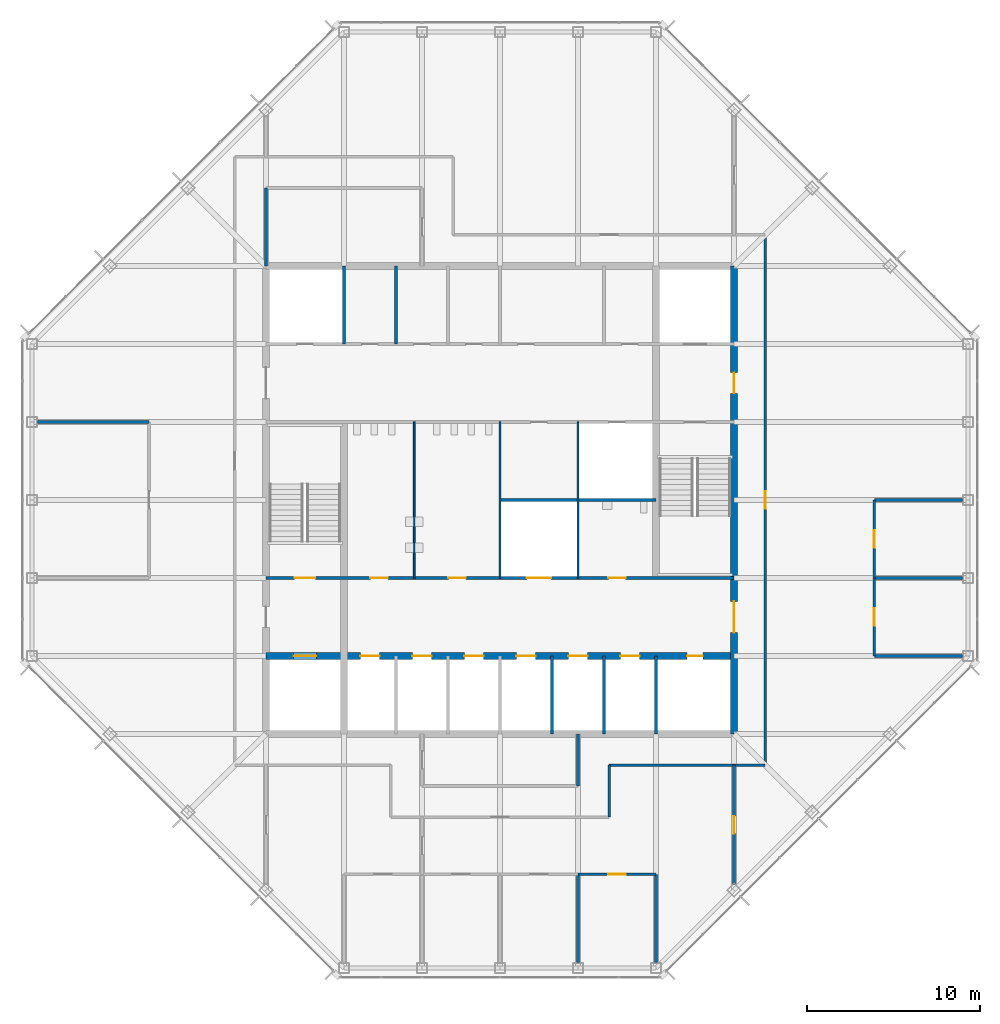
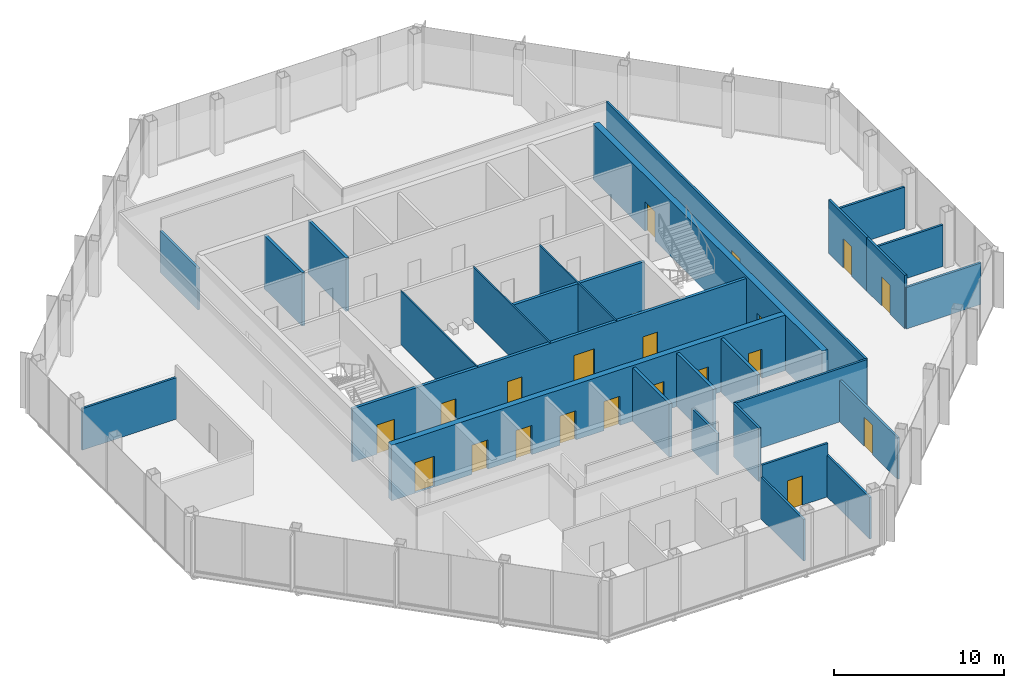
# One storey, part 10 of 13: 27 walls, 20 doors, 20 openings.
"""IFC4 building model written with IfcOpenShell, lengths in metres."""

from ifc_helpers import new_model, si_unit, direction, frame, frame_2d, origin, place, context, subcontext, project, spatial, rectangle, extrude, material, layer, layer_set, type_object, element, fill, save


model = new_model("IFC4")

# Units and contexts
model_context = context("Model", 3, precision=1e-05, world=origin(), true_north=direction((0.0, 1.0)))
body_context = subcontext(model_context, "Body", "Model", "MODEL_VIEW")
ifc_project = project(units=[si_unit("LENGTHUNIT", "METRE"), si_unit("AREAUNIT", "SQUARE_METRE"), si_unit("VOLUMEUNIT", "CUBIC_METRE"), si_unit("PLANEANGLEUNIT", "RADIAN"), si_unit("MASSUNIT", "GRAM", prefix="KILO")], contexts=[model_context])

# Site, building, storey
site_placement = place(None, origin())
site = spatial("IfcSite", under=ifc_project, at=site_placement, CompositionType="ELEMENT")
building_placement = place(site_placement, origin())
building = spatial("IfcBuilding", under=site, at=building_placement, Name="Corais Broadcast Tower", CompositionType="ELEMENT")
storey_placement = place(building_placement, frame((0.0, 0.0, 274.60009765625)))
storey = spatial("IfcBuildingStorey", under=building, at=storey_placement, Name="L64", CompositionType="ELEMENT", Elevation=274.60009765625)

# Walls
ifc_material_1 = material(Name="Concrete blockwork class A, grouted, two-hour", Category="masonry")
ifc_layer_1 = layer(ifc_material_1, 0.199951171875)
ifc_layer_set_1 = layer_set([ifc_layer_1], Name="Concrete blockwork class A, grouted, two-hour")
wall_type_1 = type_object("IfcWallType", Name="Core lobby wall 200", PredefinedType="SOLIDWALL", material=ifc_layer_set_1)
for number, where, z_axis, x_axis, name in (
    (1, (18.0, 36.0, 0.0), (0.0, 0.0, 1.0), (0.0, 1.0, 0.0), "CL3 core shaft wall X18B L64"),
    (2, (36.0, 13.5, 0.0), (0.0, 0.0, 1.0), (0.0, 1.0, 0.0), "CL3 core shaft wall X36A L64"),
):
    element("IfcWall", number, at=place(storey_placement, frame(where, z_axis=z_axis, x_axis=x_axis)), inside=storey, type_object=wall_type_1, Name=name, PredefinedType="SOLIDWALL", context=body_context, shape_type="SweptSolid", body=[
        extrude(rectangle(XDim=4.5, YDim=0.199951171875, at=frame_2d((2.25, 0.0))), origin(), (0.0, 0.0, 1.0), 3.83984375),
    ])

# Wall, openings, doors
wall_1_placement = place(storey_placement, frame((13.5, 22.5, 0.0), z_axis=(0.0, 0.0, 1.0), x_axis=(1.0, 0.0, 0.0)))
wall_1 = element("IfcWall", 3, at=wall_1_placement, inside=storey, type_object=wall_type_1, Name="CL3 core lobby wall Y225 L64", PredefinedType="SOLIDWALL", context=body_context, shape_type="SweptSolid", body=[
    extrude(rectangle(XDim=27.0, YDim=0.199951171875, at=frame_2d((13.5, 0.0))), origin(), (0.0, 0.0, 1.0), 3.83984375),
])
opening_1_placement = place(wall_1_placement, frame((1.64990234375, 0.0, 0.0)))
opening_1 = element("IfcOpeningElement", 4, at=opening_1_placement, cuts=wall_1, Name="Opening FD1", PredefinedType="OPENING", context=body_context, shape_type="SweptSolid", body=[
    extrude(rectangle(XDim=1.199951171875, YDim=2.10009765625, at=frame_2d((0.60009765625, 1.050048828125))), frame((0.0, 0.10986328125, 0.0), z_axis=(0.0, -1.0, 0.0), x_axis=(1.0, 0.0, 0.0)), (0.0, 0.0, 1.0), 0.219970703125),
])
opening_2_placement = place(wall_1_placement, frame((6.02490234375, 0.0, 0.0)))
opening_2 = element("IfcOpeningElement", 5, at=opening_2_placement, cuts=wall_1, Name="Opening WD1", PredefinedType="OPENING", context=body_context, shape_type="SweptSolid", body=[
    extrude(rectangle(XDim=1.0, YDim=2.10009765625, at=frame_2d((0.5, 1.050048828125))), frame((0.0, 0.10986328125, 0.0), z_axis=(0.0, -1.0, 0.0), x_axis=(1.0, 0.0, 0.0)), (0.0, 0.0, 1.0), 0.219970703125),
])
opening_3_placement = place(wall_1_placement, frame((10.52490234375, 0.0, 0.0)))
opening_3 = element("IfcOpeningElement", 6, at=opening_3_placement, cuts=wall_1, Name="Opening WD1", PredefinedType="OPENING", context=body_context, shape_type="SweptSolid", body=[
    extrude(rectangle(XDim=1.0, YDim=2.10009765625, at=frame_2d((0.5, 1.050048828125))), frame((0.0, 0.10986328125, 0.0), z_axis=(0.0, -1.0, 0.0), x_axis=(1.0, 0.0, 0.0)), (0.0, 0.0, 1.0), 0.219970703125),
])
opening_4_placement = place(wall_1_placement, frame((19.75, 0.0, 0.0)))
opening_4 = element("IfcOpeningElement", 7, at=opening_4_placement, cuts=wall_1, Name="Opening WD1", PredefinedType="OPENING", context=body_context, shape_type="SweptSolid", body=[
    extrude(rectangle(XDim=1.0, YDim=2.10009765625, at=frame_2d((0.5, 1.050048828125))), frame((0.0, 0.10986328125, 0.0), z_axis=(0.0, -1.0, 0.0), x_axis=(1.0, 0.0, 0.0)), (0.0, 0.0, 1.0), 0.219970703125),
])
opening_5_placement = place(wall_1_placement, frame((15.050048828125, 0.0, 0.0)))
opening_5 = element("IfcOpeningElement", 8, at=opening_5_placement, cuts=wall_1, Name="Opening LD3", PredefinedType="OPENING", context=body_context, shape_type="SweptSolid", body=[
    extrude(rectangle(XDim=1.39990234375, YDim=2.39990234375, at=frame_2d((0.699951171875, 1.199951171875))), frame((0.0, 0.10986328125, 0.0), z_axis=(0.0, -1.0, 0.0), x_axis=(1.0, 0.0, 0.0)), (0.0, 0.0, 1.0), 0.219970703125),
])
ifc_material_2 = material(Name="Steel fire door", Category="steel")
door_type_1 = type_object("IfcDoorType", Name="Fire door 1200x2100", OperationType="SINGLE_SWING_LEFT", PredefinedType="DOOR", material=ifc_material_2)
door_1_placement = place(opening_1_placement, origin())
door_1 = element("IfcDoor", 9, at=door_1_placement, inside=storey, type_object=door_type_1, Name="FD1 stair A door L64", OperationType="SINGLE_SWING_LEFT", OverallHeight=2.10009765625, OverallWidth=1.199951171875, PredefinedType="DOOR", context=body_context, shape_type="SweptSolid", body=[
    extrude(rectangle(XDim=1.199951171875, YDim=2.10009765625, at=frame_2d((0.60009765625, 1.050048828125))), frame((0.0, 0.02490234375, 0.0), z_axis=(0.0, -1.0, 0.0), x_axis=(1.0, 0.0, 0.0)), (0.0, 0.0, 1.0), 0.050048828125),
])
fill(opening_1, door_1)
ifc_material_3 = material(Name="Stainless steel lift door", Category="steel")
door_type_2 = type_object("IfcDoorType", Name="Service lift landing door 1400x2400", OperationType="SLIDING_TO_LEFT", PredefinedType="DOOR", material=ifc_material_3)
door_2_placement = place(opening_5_placement, origin())
door_2 = element("IfcDoor", 10, at=door_2_placement, inside=storey, type_object=door_type_2, Name="LD3 SL1 landing door L64", OperationType="SLIDING_TO_LEFT", OverallHeight=2.39990234375, OverallWidth=1.39990234375, PredefinedType="DOOR", context=body_context, shape_type="SweptSolid", body=[
    extrude(rectangle(XDim=1.39990234375, YDim=2.39990234375, at=frame_2d((0.699951171875, 1.199951171875))), frame((0.0, 0.02490234375, 0.0), z_axis=(0.0, -1.0, 0.0), x_axis=(1.0, 0.0, 0.0)), (0.0, 0.0, 1.0), 0.050048828125),
])
fill(opening_5, door_2)
ifc_material_4 = material(Name="Timber door", Category="wood")
door_type_3 = type_object("IfcDoorType", Name="Toilet door 1000x2100", OperationType="SINGLE_SWING_LEFT", PredefinedType="DOOR", material=ifc_material_4)
door_3_placement = place(opening_2_placement, origin())
door_3 = element("IfcDoor", 11, at=door_3_placement, inside=storey, type_object=door_type_3, Name="WD1 WC male door L64", OperationType="SINGLE_SWING_LEFT", OverallHeight=2.10009765625, OverallWidth=1.0, PredefinedType="DOOR", context=body_context, shape_type="SweptSolid", body=[
    extrude(rectangle(XDim=1.0, YDim=2.10009765625, at=frame_2d((0.5, 1.050048828125))), frame((0.0, 0.02490234375, 0.0), z_axis=(0.0, -1.0, 0.0), x_axis=(1.0, 0.0, 0.0)), (0.0, 0.0, 1.0), 0.050048828125),
])
fill(opening_2, door_3)
door_4_placement = place(opening_3_placement, origin())
door_4 = element("IfcDoor", 12, at=door_4_placement, inside=storey, type_object=door_type_3, Name="WD1 WC female door L64", OperationType="SINGLE_SWING_LEFT", OverallHeight=2.10009765625, OverallWidth=1.0, PredefinedType="DOOR", context=body_context, shape_type="SweptSolid", body=[
    extrude(rectangle(XDim=1.0, YDim=2.10009765625, at=frame_2d((0.5, 1.050048828125))), frame((0.0, 0.02490234375, 0.0), z_axis=(0.0, -1.0, 0.0), x_axis=(1.0, 0.0, 0.0)), (0.0, 0.0, 1.0), 0.050048828125),
])
fill(opening_3, door_4)
door_5_placement = place(opening_4_placement, origin())
door_5 = element("IfcDoor", 13, at=door_5_placement, inside=storey, type_object=door_type_3, Name="WD1 accessible WC door L64", OperationType="SINGLE_SWING_RIGHT", OverallHeight=2.10009765625, OverallWidth=1.0, PredefinedType="DOOR", context=body_context, shape_type="SweptSolid", body=[
    extrude(rectangle(XDim=1.0, YDim=2.10009765625, at=frame_2d((0.5, 1.050048828125))), frame((0.0, 0.02490234375, 0.0), z_axis=(0.0, -1.0, 0.0), x_axis=(1.0, 0.0, 0.0)), (0.0, 0.0, 1.0), 0.050048828125),
])
fill(opening_4, door_5)

ifc_material_5 = material(Name="Concrete C50/60", Category="concrete")
ifc_layer_2 = layer(ifc_material_5, 0.39990234375)
ifc_layer_set_2 = layer_set([ifc_layer_2], Name="Concrete C50/60")
wall_type_2 = type_object("IfcWallType", Name="Core wall 400", PredefinedType="SHEAR", material=ifc_layer_set_2)
wall_2_placement = place(storey_placement, frame((40.5, 13.5, 0.0), z_axis=(0.0, 0.0, 1.0), x_axis=(0.0, 1.0, 0.0)))
wall_2 = element("IfcWall", 14, at=wall_2_placement, inside=storey, type_object=wall_type_2, Name="CR400 core wall E L64", PredefinedType="SHEAR", context=body_context, shape_type="SweptSolid", body=[
    extrude(rectangle(XDim=27.0, YDim=0.39990234375, at=frame_2d((13.5, 0.0))), origin(), (0.0, 0.0, 1.0), 4.0),
])
opening_6_placement = place(wall_2_placement, frame((5.85009765625, 0.0, 0.0)))
opening_6 = element("IfcOpeningElement", 15, at=opening_6_placement, cuts=wall_2, Name="Opening FD2", PredefinedType="OPENING", context=body_context, shape_type="SweptSolid", body=[
    extrude(rectangle(XDim=1.800048828125, YDim=2.10009765625, at=frame_2d((0.89990234375, 1.050048828125))), frame((0.0, 0.2099609375, 0.0), z_axis=(0.0, -1.0, 0.0), x_axis=(1.0, 0.0, 0.0)), (0.0, 0.0, 1.0), 0.419921875),
])
opening_7_placement = place(wall_2_placement, frame((19.64990234375, 0.0, 0.0)))
opening_7 = element("IfcOpeningElement", 16, at=opening_7_placement, cuts=wall_2, Name="Opening FD1", PredefinedType="OPENING", context=body_context, shape_type="SweptSolid", body=[
    extrude(rectangle(XDim=1.199951171875, YDim=2.10009765625, at=frame_2d((0.60009765625, 1.050048828125))), frame((0.0, 0.2099609375, 0.0), z_axis=(0.0, -1.0, 0.0), x_axis=(1.0, 0.0, 0.0)), (0.0, 0.0, 1.0), 0.419921875),
])
door_6_placement = place(opening_7_placement, origin())
door_6 = element("IfcDoor", 17, at=door_6_placement, inside=storey, type_object=door_type_1, Name="FD1 fire lobby B door L64", OperationType="SINGLE_SWING_RIGHT", OverallHeight=2.10009765625, OverallWidth=1.199951171875, PredefinedType="DOOR", context=body_context, shape_type="SweptSolid", body=[
    extrude(rectangle(XDim=1.199951171875, YDim=2.10009765625, at=frame_2d((0.60009765625, 1.050048828125))), frame((0.0, 0.02490234375, 0.0), z_axis=(0.0, -1.0, 0.0), x_axis=(1.0, 0.0, 0.0)), (0.0, 0.0, 1.0), 0.050048828125),
])
fill(opening_7, door_6)
ifc_material_6 = material(Name="Steel fire door", Category="steel")
door_type_4 = type_object("IfcDoorType", Name="Fire door pair 1800x2100", OperationType="DOUBLE_DOOR_SINGLE_SWING", PredefinedType="DOOR", material=ifc_material_6)
door_7_placement = place(opening_6_placement, origin())
door_7 = element("IfcDoor", 18, at=door_7_placement, inside=storey, type_object=door_type_4, Name="FD2 lift lobby door L64", OperationType="SINGLE_SWING_LEFT", OverallHeight=2.10009765625, OverallWidth=1.800048828125, PredefinedType="DOOR", context=body_context, shape_type="SweptSolid", body=[
    extrude(rectangle(XDim=1.800048828125, YDim=2.10009765625, at=frame_2d((0.89990234375, 1.050048828125))), frame((0.0, 0.02490234375, 0.0), z_axis=(0.0, -1.0, 0.0), x_axis=(1.0, 0.0, 0.0)), (0.0, 0.0, 1.0), 0.050048828125),
])
fill(opening_6, door_7)

wall_3_placement = place(storey_placement, frame((13.5, 18.0, 0.0), z_axis=(0.0, 0.0, 1.0), x_axis=(1.0, 0.0, 0.0)))
wall_3 = element("IfcWall", 19, at=wall_3_placement, inside=storey, type_object=wall_type_2, Name="CR400 core wall Y18 L64", PredefinedType="SHEAR", context=body_context, shape_type="SweptSolid", body=[
    extrude(rectangle(XDim=27.0, YDim=0.39990234375, at=frame_2d((13.5, 0.0))), origin(), (0.0, 0.0, 1.0), 4.0),
])
opening_8_placement = place(wall_3_placement, frame((24.300048828125, 0.0, 0.0)))
opening_8 = element("IfcOpeningElement", 20, at=opening_8_placement, cuts=wall_3, Name="Opening RD1", PredefinedType="OPENING", context=body_context, shape_type="SweptSolid", body=[
    extrude(rectangle(XDim=0.89990234375, YDim=2.10009765625, at=frame_2d((0.449951171875, 1.050048828125))), frame((0.0, 0.2099609375, 0.0), z_axis=(0.0, -1.0, 0.0), x_axis=(1.0, 0.0, 0.0)), (0.0, 0.0, 1.0), 0.419921875),
])
opening_9_placement = place(wall_3_placement, frame((5.449951171875, 0.0, 0.0)))
opening_9 = element("IfcOpeningElement", 21, at=opening_9_placement, cuts=wall_3, Name="Opening LD1", PredefinedType="OPENING", context=body_context, shape_type="SweptSolid", body=[
    extrude(rectangle(XDim=1.10009765625, YDim=2.10009765625, at=frame_2d((0.550048828125, 1.050048828125))), frame((0.0, 0.2099609375, 0.0), z_axis=(0.0, -1.0, 0.0), x_axis=(1.0, 0.0, 0.0)), (0.0, 0.0, 1.0), 0.419921875),
])
opening_10_placement = place(wall_3_placement, frame((8.449951171875, 0.0, 0.0)))
opening_10 = element("IfcOpeningElement", 22, at=opening_10_placement, cuts=wall_3, Name="Opening LD1", PredefinedType="OPENING", context=body_context, shape_type="SweptSolid", body=[
    extrude(rectangle(XDim=1.10009765625, YDim=2.10009765625, at=frame_2d((0.550048828125, 1.050048828125))), frame((0.0, 0.2099609375, 0.0), z_axis=(0.0, -1.0, 0.0), x_axis=(1.0, 0.0, 0.0)), (0.0, 0.0, 1.0), 0.419921875),
])
opening_11_placement = place(wall_3_placement, frame((11.449951171875, 0.0, 0.0)))
opening_11 = element("IfcOpeningElement", 23, at=opening_11_placement, cuts=wall_3, Name="Opening LD1", PredefinedType="OPENING", context=body_context, shape_type="SweptSolid", body=[
    extrude(rectangle(XDim=1.10009765625, YDim=2.10009765625, at=frame_2d((0.550048828125, 1.050048828125))), frame((0.0, 0.2099609375, 0.0), z_axis=(0.0, -1.0, 0.0), x_axis=(1.0, 0.0, 0.0)), (0.0, 0.0, 1.0), 0.419921875),
])
opening_12_placement = place(wall_3_placement, frame((14.449951171875, 0.0, 0.0)))
opening_12 = element("IfcOpeningElement", 24, at=opening_12_placement, cuts=wall_3, Name="Opening LD1", PredefinedType="OPENING", context=body_context, shape_type="SweptSolid", body=[
    extrude(rectangle(XDim=1.10009765625, YDim=2.10009765625, at=frame_2d((0.550048828125, 1.050048828125))), frame((0.0, 0.2099609375, 0.0), z_axis=(0.0, -1.0, 0.0), x_axis=(1.0, 0.0, 0.0)), (0.0, 0.0, 1.0), 0.419921875),
])
opening_13_placement = place(wall_3_placement, frame((17.449951171875, 0.0, 0.0)))
opening_13 = element("IfcOpeningElement", 25, at=opening_13_placement, cuts=wall_3, Name="Opening LD1", PredefinedType="OPENING", context=body_context, shape_type="SweptSolid", body=[
    extrude(rectangle(XDim=1.10009765625, YDim=2.10009765625, at=frame_2d((0.550048828125, 1.050048828125))), frame((0.0, 0.2099609375, 0.0), z_axis=(0.0, -1.0, 0.0), x_axis=(1.0, 0.0, 0.0)), (0.0, 0.0, 1.0), 0.419921875),
])
opening_14_placement = place(wall_3_placement, frame((20.449951171875, 0.0, 0.0)))
opening_14 = element("IfcOpeningElement", 26, at=opening_14_placement, cuts=wall_3, Name="Opening LD1", PredefinedType="OPENING", context=body_context, shape_type="SweptSolid", body=[
    extrude(rectangle(XDim=1.10009765625, YDim=2.10009765625, at=frame_2d((0.550048828125, 1.050048828125))), frame((0.0, 0.2099609375, 0.0), z_axis=(0.0, -1.0, 0.0), x_axis=(1.0, 0.0, 0.0)), (0.0, 0.0, 1.0), 0.419921875),
])
opening_15_placement = place(wall_3_placement, frame((1.60009765625, 0.0, 0.0)))
opening_15 = element("IfcOpeningElement", 27, at=opening_15_placement, cuts=wall_3, Name="Opening LD2", PredefinedType="OPENING", context=body_context, shape_type="SweptSolid", body=[
    extrude(rectangle(XDim=1.300048828125, YDim=2.199951171875, at=frame_2d((0.64990234375, 1.10009765625))), frame((0.0, 0.2099609375, 0.0), z_axis=(0.0, -1.0, 0.0), x_axis=(1.0, 0.0, 0.0)), (0.0, 0.0, 1.0), 0.419921875),
])
ifc_material_7 = material(Name="Stainless steel lift door", Category="steel")
door_type_5 = type_object("IfcDoorType", Name="Lift landing door 1100x2100", OperationType="SLIDING_TO_LEFT", PredefinedType="DOOR", material=ifc_material_7)
door_8_placement = place(opening_9_placement, origin())
door_8 = element("IfcDoor", 28, at=door_8_placement, inside=storey, type_object=door_type_5, Name="LD1 PH1 landing door L64", OperationType="SLIDING_TO_LEFT", OverallHeight=2.10009765625, OverallWidth=1.10009765625, PredefinedType="DOOR", context=body_context, shape_type="SweptSolid", body=[
    extrude(rectangle(XDim=1.10009765625, YDim=2.10009765625, at=frame_2d((0.550048828125, 1.050048828125))), frame((0.0, 0.02490234375, 0.0), z_axis=(0.0, -1.0, 0.0), x_axis=(1.0, 0.0, 0.0)), (0.0, 0.0, 1.0), 0.050048828125),
])
fill(opening_9, door_8)
door_9_placement = place(opening_10_placement, origin())
door_9 = element("IfcDoor", 29, at=door_9_placement, inside=storey, type_object=door_type_5, Name="LD1 PH2 landing door L64", OperationType="SLIDING_TO_LEFT", OverallHeight=2.10009765625, OverallWidth=1.10009765625, PredefinedType="DOOR", context=body_context, shape_type="SweptSolid", body=[
    extrude(rectangle(XDim=1.10009765625, YDim=2.10009765625, at=frame_2d((0.550048828125, 1.050048828125))), frame((0.0, 0.02490234375, 0.0), z_axis=(0.0, -1.0, 0.0), x_axis=(1.0, 0.0, 0.0)), (0.0, 0.0, 1.0), 0.050048828125),
])
fill(opening_10, door_9)
door_10_placement = place(opening_11_placement, origin())
door_10 = element("IfcDoor", 30, at=door_10_placement, inside=storey, type_object=door_type_5, Name="LD1 PH3 landing door L64", OperationType="SLIDING_TO_LEFT", OverallHeight=2.10009765625, OverallWidth=1.10009765625, PredefinedType="DOOR", context=body_context, shape_type="SweptSolid", body=[
    extrude(rectangle(XDim=1.10009765625, YDim=2.10009765625, at=frame_2d((0.550048828125, 1.050048828125))), frame((0.0, 0.02490234375, 0.0), z_axis=(0.0, -1.0, 0.0), x_axis=(1.0, 0.0, 0.0)), (0.0, 0.0, 1.0), 0.050048828125),
])
fill(opening_11, door_10)
door_11_placement = place(opening_12_placement, origin())
door_11 = element("IfcDoor", 31, at=door_11_placement, inside=storey, type_object=door_type_5, Name="LD1 PH4 landing door L64", OperationType="SLIDING_TO_LEFT", OverallHeight=2.10009765625, OverallWidth=1.10009765625, PredefinedType="DOOR", context=body_context, shape_type="SweptSolid", body=[
    extrude(rectangle(XDim=1.10009765625, YDim=2.10009765625, at=frame_2d((0.550048828125, 1.050048828125))), frame((0.0, 0.02490234375, 0.0), z_axis=(0.0, -1.0, 0.0), x_axis=(1.0, 0.0, 0.0)), (0.0, 0.0, 1.0), 0.050048828125),
])
fill(opening_12, door_11)
door_12_placement = place(opening_13_placement, origin())
door_12 = element("IfcDoor", 32, at=door_12_placement, inside=storey, type_object=door_type_5, Name="LD1 PH5 landing door L64", OperationType="SLIDING_TO_LEFT", OverallHeight=2.10009765625, OverallWidth=1.10009765625, PredefinedType="DOOR", context=body_context, shape_type="SweptSolid", body=[
    extrude(rectangle(XDim=1.10009765625, YDim=2.10009765625, at=frame_2d((0.550048828125, 1.050048828125))), frame((0.0, 0.02490234375, 0.0), z_axis=(0.0, -1.0, 0.0), x_axis=(1.0, 0.0, 0.0)), (0.0, 0.0, 1.0), 0.050048828125),
])
fill(opening_13, door_12)
door_13_placement = place(opening_14_placement, origin())
door_13 = element("IfcDoor", 33, at=door_13_placement, inside=storey, type_object=door_type_5, Name="LD1 PH6 landing door L64", OperationType="SLIDING_TO_LEFT", OverallHeight=2.10009765625, OverallWidth=1.10009765625, PredefinedType="DOOR", context=body_context, shape_type="SweptSolid", body=[
    extrude(rectangle(XDim=1.10009765625, YDim=2.10009765625, at=frame_2d((0.550048828125, 1.050048828125))), frame((0.0, 0.02490234375, 0.0), z_axis=(0.0, -1.0, 0.0), x_axis=(1.0, 0.0, 0.0)), (0.0, 0.0, 1.0), 0.050048828125),
])
fill(opening_14, door_13)
ifc_material_8 = material(Name="Stainless steel lift door", Category="steel")
door_type_6 = type_object("IfcDoorType", Name="Lift landing door 1300x2200", OperationType="SLIDING_TO_LEFT", PredefinedType="DOOR", material=ifc_material_8)
door_14_placement = place(opening_15_placement, origin())
door_14 = element("IfcDoor", 34, at=door_14_placement, inside=storey, type_object=door_type_6, Name="LD2 FL1 landing door L64", OperationType="SLIDING_TO_LEFT", OverallHeight=2.199951171875, OverallWidth=1.300048828125, PredefinedType="DOOR", context=body_context, shape_type="SweptSolid", body=[
    extrude(rectangle(XDim=1.300048828125, YDim=2.199951171875, at=frame_2d((0.64990234375, 1.10009765625))), frame((0.0, 0.02490234375, 0.0), z_axis=(0.0, -1.0, 0.0), x_axis=(1.0, 0.0, 0.0)), (0.0, 0.0, 1.0), 0.050048828125),
])
fill(opening_15, door_14)
ifc_material_9 = material(Name="Steel fire door", Category="steel")
door_type_7 = type_object("IfcDoorType", Name="Riser door 900x2100", OperationType="SINGLE_SWING_LEFT", PredefinedType="DOOR", material=ifc_material_9)
door_15_placement = place(opening_8_placement, origin())
door_15 = element("IfcDoor", 35, at=door_15_placement, inside=storey, type_object=door_type_7, Name="RD1 riser door L64", OperationType="SINGLE_SWING_RIGHT", OverallHeight=2.10009765625, OverallWidth=0.89990234375, PredefinedType="DOOR", context=body_context, shape_type="SweptSolid", body=[
    extrude(rectangle(XDim=0.89990234375, YDim=2.10009765625, at=frame_2d((0.449951171875, 1.050048828125))), frame((0.0, 0.02490234375, 0.0), z_axis=(0.0, -1.0, 0.0), x_axis=(1.0, 0.0, 0.0)), (0.0, 0.0, 1.0), 0.050048828125),
])
fill(opening_8, door_15)

# Wall, opening, door
ifc_material_10 = material(Name="Gypsum board on steel studs", Category="steel")
ifc_layer_3 = layer(ifc_material_10, 0.14990234375)
ifc_layer_set_3 = layer_set([ifc_layer_3], Name="Gypsum board on steel studs")
wall_type_3 = type_object("IfcWallType", Name="Partition 150", PredefinedType="PARTITIONING", material=ifc_layer_set_3)
wall_4_placement = place(storey_placement, frame((42.300048828125, 11.699951171875, 0.0), z_axis=(0.0, 0.0, 1.0), x_axis=(0.0, 1.0, 0.0)))
wall_4 = element("IfcWall", 36, at=wall_4_placement, inside=storey, type_object=wall_type_3, Name="IW3 corridor wall L64", PredefinedType="PARTITIONING", context=body_context, shape_type="SweptSolid", body=[
    extrude(rectangle(XDim=30.60009765625, YDim=0.14990234375, at=frame_2d((15.300048828125, 0.0))), origin(), (0.0, 0.0, 1.0), 3.83984375),
])
opening_16_placement = place(wall_4_placement, frame((14.800048828125, 0.0, 0.0)))
opening_16 = element("IfcOpeningElement", 37, at=opening_16_placement, cuts=wall_4, Name="Opening D1", PredefinedType="OPENING", context=body_context, shape_type="SweptSolid", body=[
    extrude(rectangle(XDim=1.0, YDim=2.10009765625, at=frame_2d((0.5, 1.050048828125))), frame((0.0, 0.0849609375, 0.0), z_axis=(0.0, -1.0, 0.0), x_axis=(1.0, 0.0, 0.0)), (0.0, 0.0, 1.0), 0.169921875),
])
ifc_material_11 = material(Name="Timber door", Category="wood")
door_type_8 = type_object("IfcDoorType", Name="Single door 1000x2100", OperationType="SINGLE_SWING_LEFT", PredefinedType="DOOR", material=ifc_material_11)
door_16_placement = place(opening_16_placement, origin())
door_16 = element("IfcDoor", 38, at=door_16_placement, inside=storey, type_object=door_type_8, Name="D1 workplace door L64", OperationType="SINGLE_SWING_LEFT", OverallHeight=2.10009765625, OverallWidth=1.0, PredefinedType="DOOR", context=body_context, shape_type="SweptSolid", body=[
    extrude(rectangle(XDim=1.0, YDim=2.10009765625, at=frame_2d((0.5, 1.050048828125))), frame((0.0, 0.02490234375, 0.0), z_axis=(0.0, -1.0, 0.0), x_axis=(1.0, 0.0, 0.0)), (0.0, 0.0, 1.0), 0.050048828125),
])
fill(opening_16, door_16)

# Walls
wall_5_placement = place(storey_placement, frame((33.300048828125, 11.699951171875, 0.0), z_axis=(0.0, 0.0, 1.0), x_axis=(1.0, 0.0, 0.0)))
element("IfcWall", 39, at=wall_5_placement, inside=storey, type_object=wall_type_3, Name="IW3 corridor wall L64", PredefinedType="PARTITIONING", context=body_context, shape_type="SweptSolid", body=[
    extrude(rectangle(XDim=9.0, YDim=0.14990234375, at=frame_2d((4.5, 0.0))), origin(), (0.0, 0.0, 1.0), 3.83984375),
])
wall_6_placement = place(storey_placement, frame((33.300048828125, 8.699951171875, 0.0), z_axis=(0.0, 0.0, 1.0), x_axis=(0.0, 1.0, 0.0)))
element("IfcWall", 40, at=wall_6_placement, inside=storey, type_object=wall_type_3, Name="IW3 corridor wall L64", PredefinedType="PARTITIONING", context=body_context, shape_type="SweptSolid", body=[
    extrude(rectangle(XDim=3.0, YDim=0.14990234375, at=frame_2d((1.5, 0.0))), origin(), (0.0, 0.0, 1.0), 3.83984375),
])
wall_7_placement = place(storey_placement, frame((6.75, 31.5, 0.0), z_axis=(0.0, 0.0, 1.0), x_axis=(-1.0, 0.0, 0.0)))
element("IfcWall", 41, at=wall_7_placement, inside=storey, type_object=wall_type_3, Name="IW3 partition L64", PredefinedType="PARTITIONING", context=body_context, shape_type="SweptSolid", body=[
    extrude(rectangle(XDim=6.43994140625, YDim=0.14990234375, at=frame_2d((3.219970703125, 0.0))), origin(), (0.0, 0.0, 1.0), 2.989013671875),
])
for number, where, z_axis, x_axis, name in (
    (42, (48.60009765625, 18.0, 0.0), (0.0, 0.0, 1.0), (1.0, 0.0, 0.0), "IW3 partition L64"),
    (43, (53.68994140625, 22.5, 0.0), (0.0, 0.0, 1.0), (-1.0, 0.0, 0.0), "IW3 partition L64"),
):
    element("IfcWall", number, at=place(storey_placement, frame(where, z_axis=z_axis, x_axis=x_axis)), inside=storey, type_object=wall_type_3, Name=name, PredefinedType="PARTITIONING", context=body_context, shape_type="SweptSolid", body=[
        extrude(rectangle(XDim=5.08984375, YDim=0.14990234375, at=frame_2d((2.544921875, 0.0))), origin(), (0.0, 0.0, 1.0), 2.989013671875),
    ])

# Wall, opening, door
wall_8_placement = place(storey_placement, frame((48.60009765625, 22.5, 0.0), z_axis=(0.0, 0.0, 1.0), x_axis=(0.0, -1.0, 0.0)))
wall_8 = element("IfcWall", 44, at=wall_8_placement, inside=storey, type_object=wall_type_3, Name="IW3 partition L64", PredefinedType="PARTITIONING", context=body_context, shape_type="SweptSolid", body=[
    extrude(rectangle(XDim=4.5, YDim=0.14990234375, at=frame_2d((2.25, 0.0))), origin(), (0.0, 0.0, 1.0), 3.83984375),
])
opening_17_placement = place(wall_8_placement, frame((1.75, 0.0, 0.0)))
opening_17 = element("IfcOpeningElement", 45, at=opening_17_placement, cuts=wall_8, Name="Opening D1", PredefinedType="OPENING", context=body_context, shape_type="SweptSolid", body=[
    extrude(rectangle(XDim=1.0, YDim=2.10009765625, at=frame_2d((0.5, 1.050048828125))), frame((0.0, 0.0849609375, 0.0), z_axis=(0.0, -1.0, 0.0), x_axis=(1.0, 0.0, 0.0)), (0.0, 0.0, 1.0), 0.169921875),
])
door_17_placement = place(opening_17_placement, origin())
door_17 = element("IfcDoor", 46, at=door_17_placement, inside=storey, type_object=door_type_8, Name="D1 Office door", OperationType="SINGLE_SWING_LEFT", OverallHeight=2.10009765625, OverallWidth=1.0, PredefinedType="DOOR", context=body_context, shape_type="SweptSolid", body=[
    extrude(rectangle(XDim=1.0, YDim=2.10009765625, at=frame_2d((0.5, 1.050048828125))), frame((0.0, 0.02490234375, 0.0), z_axis=(0.0, -1.0, 0.0), x_axis=(1.0, 0.0, 0.0)), (0.0, 0.0, 1.0), 0.050048828125),
])
fill(opening_17, door_17)

# Wall
wall_9_placement = place(storey_placement, frame((53.68994140625, 27.0, 0.0), z_axis=(0.0, 0.0, 1.0), x_axis=(-1.0, 0.0, 0.0)))
element("IfcWall", 47, at=wall_9_placement, inside=storey, type_object=wall_type_3, Name="IW3 partition L64", PredefinedType="PARTITIONING", context=body_context, shape_type="SweptSolid", body=[
    extrude(rectangle(XDim=5.08984375, YDim=0.14990234375, at=frame_2d((2.544921875, 0.0))), origin(), (0.0, 0.0, 1.0), 2.989013671875),
])

# Wall, opening, door
wall_10_placement = place(storey_placement, frame((48.60009765625, 27.0, 0.0), z_axis=(0.0, 0.0, 1.0), x_axis=(0.0, -1.0, 0.0)))
wall_10 = element("IfcWall", 48, at=wall_10_placement, inside=storey, type_object=wall_type_3, Name="IW3 partition L64", PredefinedType="PARTITIONING", context=body_context, shape_type="SweptSolid", body=[
    extrude(rectangle(XDim=4.5, YDim=0.14990234375, at=frame_2d((2.25, 0.0))), origin(), (0.0, 0.0, 1.0), 3.83984375),
])
opening_18_placement = place(wall_10_placement, frame((1.75, 0.0, 0.0)))
opening_18 = element("IfcOpeningElement", 49, at=opening_18_placement, cuts=wall_10, Name="Opening D1", PredefinedType="OPENING", context=body_context, shape_type="SweptSolid", body=[
    extrude(rectangle(XDim=1.0, YDim=2.10009765625, at=frame_2d((0.5, 1.050048828125))), frame((0.0, 0.0849609375, 0.0), z_axis=(0.0, -1.0, 0.0), x_axis=(1.0, 0.0, 0.0)), (0.0, 0.0, 1.0), 0.169921875),
])
door_18_placement = place(opening_18_placement, origin())
door_18 = element("IfcDoor", 50, at=door_18_placement, inside=storey, type_object=door_type_8, Name="D1 Office door", OperationType="SINGLE_SWING_LEFT", OverallHeight=2.10009765625, OverallWidth=1.0, PredefinedType="DOOR", context=body_context, shape_type="SweptSolid", body=[
    extrude(rectangle(XDim=1.0, YDim=2.10009765625, at=frame_2d((0.5, 1.050048828125))), frame((0.0, 0.02490234375, 0.0), z_axis=(0.0, -1.0, 0.0), x_axis=(1.0, 0.0, 0.0)), (0.0, 0.0, 1.0), 0.050048828125),
])
fill(opening_18, door_18)

# Walls
wall_11_placement = place(storey_placement, frame((13.5, 45.0, 0.0), z_axis=(0.0, 0.0, 1.0), x_axis=(0.0, -1.0, 0.0)))
element("IfcWall", 51, at=wall_11_placement, inside=storey, type_object=wall_type_3, Name="IW3 partition L64", PredefinedType="PARTITIONING", context=body_context, shape_type="SweptSolid", body=[
    extrude(rectangle(XDim=4.5, YDim=0.14990234375, at=frame_2d((2.25, 0.0))), origin(), (0.0, 0.0, 1.0), 2.989013671875),
])
wall_12_placement = place(storey_placement, frame((31.5, 10.5, 0.0), z_axis=(0.0, 0.0, 1.0), x_axis=(0.0, 1.0, 0.0)))
element("IfcWall", 52, at=wall_12_placement, inside=storey, type_object=wall_type_3, Name="IW3 partition L64", PredefinedType="PARTITIONING", context=body_context, shape_type="SweptSolid", body=[
    extrude(rectangle(XDim=3.0, YDim=0.14990234375, at=frame_2d((1.5, 0.0))), origin(), (0.0, 0.0, 1.0), 2.989013671875),
])
for number, where, z_axis, x_axis, name in (
    (53, (31.5, 0.31005859375, 0.0), (0.0, 0.0, 1.0), (0.0, 1.0, 0.0), "IW3 partition L64"),
    (54, (36.0, 0.31005859375, 0.0), (0.0, 0.0, 1.0), (0.0, 1.0, 0.0), "IW3 partition L64"),
):
    element("IfcWall", number, at=place(storey_placement, frame(where, z_axis=z_axis, x_axis=x_axis)), inside=storey, type_object=wall_type_3, Name=name, PredefinedType="PARTITIONING", context=body_context, shape_type="SweptSolid", body=[
        extrude(rectangle(XDim=5.08984375, YDim=0.14990234375, at=frame_2d((2.544921875, 0.0))), origin(), (0.0, 0.0, 1.0), 2.989013671875),
    ])

# Wall, opening, door
wall_13_placement = place(storey_placement, frame((36.0, 5.39990234375, 0.0), z_axis=(0.0, 0.0, 1.0), x_axis=(-1.0, 0.0, 0.0)))
wall_13 = element("IfcWall", 55, at=wall_13_placement, inside=storey, type_object=wall_type_3, Name="IW3 partition L64", PredefinedType="PARTITIONING", context=body_context, shape_type="SweptSolid", body=[
    extrude(rectangle(XDim=4.5, YDim=0.14990234375, at=frame_2d((2.25, 0.0))), origin(), (0.0, 0.0, 1.0), 3.83984375),
])
opening_19_placement = place(wall_13_placement, frame((1.75, 0.0, 0.0)))
opening_19 = element("IfcOpeningElement", 56, at=opening_19_placement, cuts=wall_13, Name="Opening D1", PredefinedType="OPENING", context=body_context, shape_type="SweptSolid", body=[
    extrude(rectangle(XDim=1.0, YDim=2.10009765625, at=frame_2d((0.5, 1.050048828125))), frame((0.0, 0.0849609375, 0.0), z_axis=(0.0, -1.0, 0.0), x_axis=(1.0, 0.0, 0.0)), (0.0, 0.0, 1.0), 0.169921875),
])
door_19_placement = place(opening_19_placement, origin())
door_19 = element("IfcDoor", 57, at=door_19_placement, inside=storey, type_object=door_type_8, Name="D1 Analyst office door", OperationType="SINGLE_SWING_LEFT", OverallHeight=2.10009765625, OverallWidth=1.0, PredefinedType="DOOR", context=body_context, shape_type="SweptSolid", body=[
    extrude(rectangle(XDim=1.0, YDim=2.10009765625, at=frame_2d((0.5, 1.050048828125))), frame((0.0, 0.02490234375, 0.0), z_axis=(0.0, -1.0, 0.0), x_axis=(1.0, 0.0, 0.0)), (0.0, 0.0, 1.0), 0.050048828125),
])
fill(opening_19, door_19)

wall_14_placement = place(storey_placement, frame((40.5, 4.820068359375, 0.0), z_axis=(0.0, 0.0, 1.0), x_axis=(0.0, 1.0, 0.0)))
wall_14 = element("IfcWall", 58, at=wall_14_placement, inside=storey, type_object=wall_type_3, Name="IW3 partition L64", PredefinedType="PARTITIONING", context=body_context, shape_type="SweptSolid", body=[
    extrude(rectangle(XDim=6.8798828125, YDim=0.14990234375, at=frame_2d((3.43994140625, 0.0))), origin(), (0.0, 0.0, 1.0), 2.989013671875),
])
opening_20_placement = place(wall_14_placement, frame((2.93994140625, 0.0, 0.0)))
opening_20 = element("IfcOpeningElement", 59, at=opening_20_placement, cuts=wall_14, Name="Opening D1", PredefinedType="OPENING", context=body_context, shape_type="SweptSolid", body=[
    extrude(rectangle(XDim=1.0, YDim=2.10009765625, at=frame_2d((0.5, 1.050048828125))), frame((0.0, 0.0849609375, 0.0), z_axis=(0.0, -1.0, 0.0), x_axis=(1.0, 0.0, 0.0)), (0.0, 0.0, 1.0), 0.169921875),
])
door_20_placement = place(opening_20_placement, origin())
door_20 = element("IfcDoor", 60, at=door_20_placement, inside=storey, type_object=door_type_8, Name="D1 team room door L64", OperationType="SINGLE_SWING_LEFT", OverallHeight=2.10009765625, OverallWidth=1.0, PredefinedType="DOOR", context=body_context, shape_type="SweptSolid", body=[
    extrude(rectangle(XDim=1.0, YDim=2.10009765625, at=frame_2d((0.5, 1.050048828125))), frame((0.0, 0.02490234375, 0.0), z_axis=(0.0, -1.0, 0.0), x_axis=(1.0, 0.0, 0.0)), (0.0, 0.0, 1.0), 0.050048828125),
])
fill(opening_20, door_20)

# Walls
ifc_material_12 = material(Name="Concrete blockwork class A, grouted, two-hour", Category="masonry")
ifc_layer_4 = layer(ifc_material_12, 0.199951171875)
ifc_layer_set_4 = layer_set([ifc_layer_4], Name="Concrete blockwork class A, grouted, two-hour")
wall_type_4 = type_object("IfcWallType", Name="Shaft wall 200", PredefinedType="PARTITIONING", material=ifc_layer_set_4)
for number, where, z_axis, x_axis, name in (
    (61, (21.0, 36.0, 0.0), (0.0, 0.0, 1.0), (0.0, 1.0, 0.0), "IW1 shaft wall L64"),
    (62, (30.0, 13.5, 0.0), (0.0, 0.0, 1.0), (0.0, 1.0, 0.0), "IW1 shaft wall L64"),
    (63, (33.0, 13.5, 0.0), (0.0, 0.0, 1.0), (0.0, 1.0, 0.0), "IW1 shaft wall L64"),
):
    element("IfcWall", number, at=place(storey_placement, frame(where, z_axis=z_axis, x_axis=x_axis)), inside=storey, type_object=wall_type_4, Name=name, PredefinedType="PARTITIONING", context=body_context, shape_type="SweptSolid", body=[
        extrude(rectangle(XDim=4.5, YDim=0.199951171875, at=frame_2d((2.25, 0.0))), origin(), (0.0, 0.0, 1.0), 3.83984375),
    ])
wall_15_placement = place(storey_placement, frame((27.0, 27.0, 0.0), z_axis=(0.0, 0.0, 1.0), x_axis=(1.0, 0.0, 0.0)))
element("IfcWall", 64, at=wall_15_placement, inside=storey, type_object=wall_type_4, Name="IW1 shaft wall L64", PredefinedType="PARTITIONING", context=body_context, shape_type="SweptSolid", body=[
    extrude(rectangle(XDim=9.0, YDim=0.199951171875, at=frame_2d((4.5, 0.0))), origin(), (0.0, 0.0, 1.0), 3.83984375),
])
ifc_material_13 = material(Name="Dense concrete blockwork class A, tiled both faces", Category="masonry")
ifc_layer_5 = layer(ifc_material_13, 0.10009765625)
ifc_layer_set_5 = layer_set([ifc_layer_5], Name="Dense concrete blockwork class A, tiled both faces")
wall_type_5 = type_object("IfcWallType", Name="Toilet wall 100", PredefinedType="PLUMBINGWALL", material=ifc_layer_set_5)
for number, where, z_axis, x_axis, name in (
    (65, (22.050048828125, 22.5, 0.0), (0.0, 0.0, 1.0), (0.0, 1.0, 0.0), "IW2 toilet wall L64"),
    (66, (27.0, 22.5, 0.0), (0.0, 0.0, 1.0), (0.0, 1.0, 0.0), "IW2 toilet wall L64"),
    (67, (31.5, 22.5, 0.0), (0.0, 0.0, 1.0), (0.0, 1.0, 0.0), "IW2 toilet wall L64"),
):
    element("IfcWall", number, at=place(storey_placement, frame(where, z_axis=z_axis, x_axis=x_axis)), inside=storey, type_object=wall_type_5, Name=name, PredefinedType="PLUMBINGWALL", context=body_context, shape_type="SweptSolid", body=[
        extrude(rectangle(XDim=9.0, YDim=0.10009765625, at=frame_2d((4.5, 0.0))), origin(), (0.0, 0.0, 1.0), 3.83984375),
    ])

save(model, "model.ifc")
